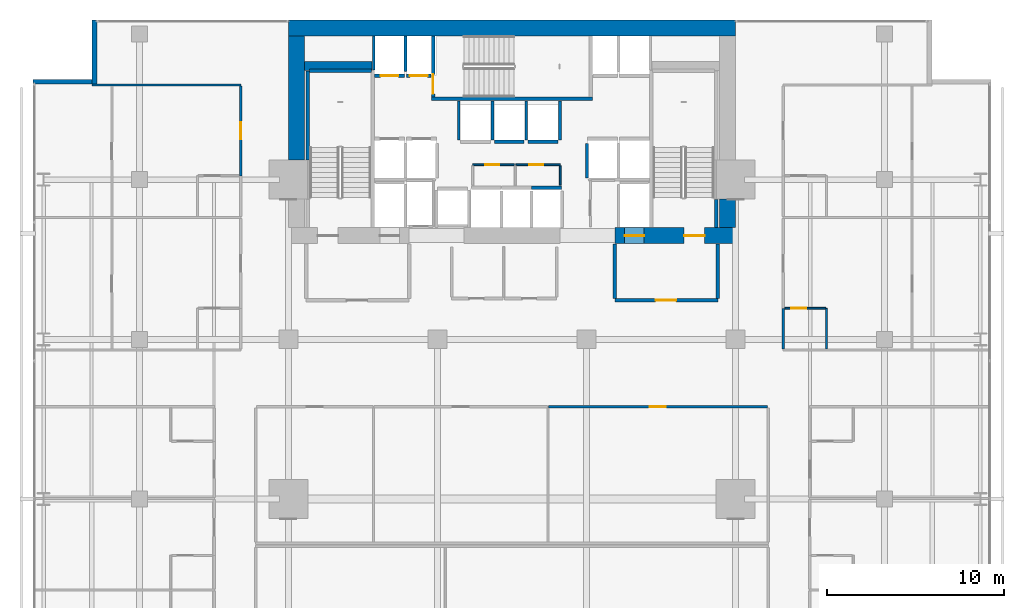
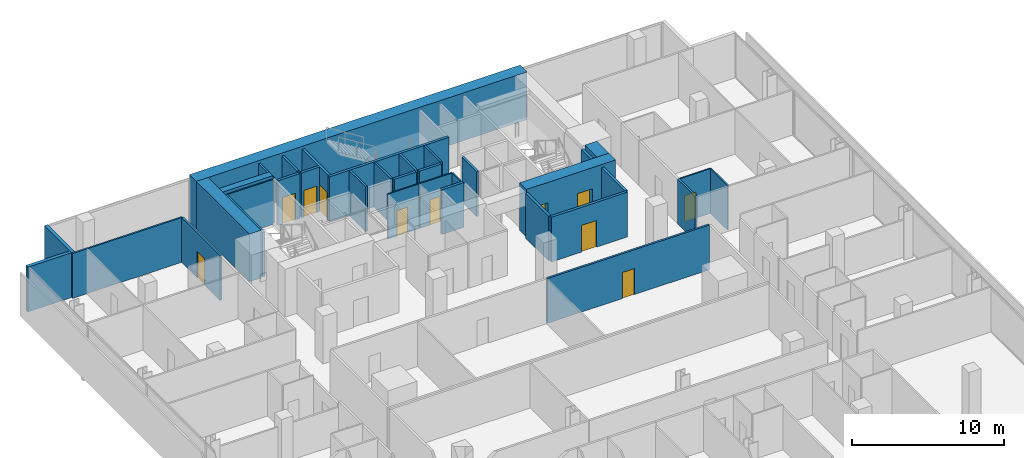
# One storey, part 36 of 40: 36 walls, 11 doors, 11 openings.
"""IFC4 building model written with IfcOpenShell, lengths in metres."""

from ifc_helpers import new_model, si_unit, direction, frame, frame_2d, origin, place, context, subcontext, project, spatial, rectangle, extrude, material, layer, layer_set, type_object, element, fill, save


model = new_model("IFC4")

# Units and contexts
model_context = context("Model", 3, precision=1e-05, world=origin(), true_north=direction((0.0, 1.0)))
body_context = subcontext(model_context, "Body", "Model", "MODEL_VIEW")
ifc_project = project(units=[si_unit("LENGTHUNIT", "METRE"), si_unit("AREAUNIT", "SQUARE_METRE"), si_unit("VOLUMEUNIT", "CUBIC_METRE"), si_unit("PLANEANGLEUNIT", "RADIAN"), si_unit("MASSUNIT", "GRAM", prefix="KILO")], contexts=[model_context])

# Site, building, storey
site_placement = place(None, origin())
site = spatial("IfcSite", under=ifc_project, at=site_placement, CompositionType="ELEMENT")
building_placement = place(site_placement, origin())
building = spatial("IfcBuilding", under=site, at=building_placement, Name="Maruvema Waterfront Hotel and Observation Tower", CompositionType="ELEMENT")
storey_placement = place(building_placement, frame((0.0, 0.0, 50.050048828125)))
storey = spatial("IfcBuildingStorey", under=building, at=storey_placement, Name="L11", CompositionType="ELEMENT", Elevation=50.050048828125)

# Wall, opening, door
ifc_material_1 = material(Name="Twin-stud acoustic gypsum drywall", Category="gypsum")
ifc_layer_1 = layer(ifc_material_1, 0.14990234375, Name="Acoustic Corridor and Suite Demising Wall 150 mm")
ifc_layer_set_1 = layer_set([ifc_layer_1], Name="Twin-stud acoustic gypsum drywall")
wall_type_1 = type_object("IfcWallType", Name="Acoustic Corridor and Suite Demising Wall 150 mm", PredefinedType="PARTITIONING", material=ifc_layer_set_1)
wall_1_placement = place(storey_placement, frame((39.85302734375, 32.199951171875, 0.0), z_axis=(0.0, 0.0, 1.0), x_axis=(1.0, 0.0, 0.0)))
wall_1 = element("IfcWall", 1, at=wall_1_placement, inside=storey, type_object=wall_type_1, Name="L11 L11-INTN Front 3 029", PredefinedType="PARTITIONING", context=body_context, shape_type="SweptSolid", body=[
    extrude(rectangle(XDim=12.3369140625, YDim=0.14990234375, at=frame_2d((6.16845703125, 0.0))), origin(), (0.0, 0.0, 1.0), 3.60986328125),
])
opening_1_placement = place(wall_1_placement, frame((5.718505859375, 0.0, 0.0)))
opening_1 = element("IfcOpeningElement", 2, at=opening_1_placement, cuts=wall_1, Name="Opening DR-090", PredefinedType="OPENING", context=body_context, shape_type="SweptSolid", body=[
    extrude(rectangle(XDim=0.89990234375, YDim=2.10009765625, at=frame_2d((0.449951171875, 1.050048828125))), frame((0.0, 0.0849609375, 0.0), z_axis=(0.0, -1.0, 0.0), x_axis=(1.0, 0.0, 0.0)), (0.0, 0.0, 1.0), 0.169921875),
])
ifc_material_2 = material(Name="Solid-core lacquered timber leaf", Category="wood")
door_type_1 = type_object("IfcDoorType", Name="Accessible Toilet and Room Door 900x2100 mm", OperationType="NOTDEFINED", PredefinedType="DOOR", material=ifc_material_2)
door_1_placement = place(opening_1_placement, origin())
door_1 = element("IfcDoor", 3, at=door_1_placement, inside=storey, type_object=door_type_1, Name="L11 Butler Kitchenette Door", OperationType="SINGLE_SWING_RIGHT", OverallHeight=2.10009765625, OverallWidth=0.89990234375, PredefinedType="DOOR", context=body_context, shape_type="SweptSolid", body=[
    extrude(rectangle(XDim=0.89990234375, YDim=2.10009765625, at=frame_2d((0.449951171875, 1.050048828125))), frame((0.0, 0.02490234375, 0.0), z_axis=(0.0, -1.0, 0.0), x_axis=(1.0, 0.0, 0.0)), (0.0, 0.0, 1.0), 0.050048828125),
])
fill(opening_1, door_1)

# Wall
wall_2_placement = place(storey_placement, frame((53.080078125, 35.4599609375, 0.0), z_axis=(0.0, 0.0, 1.0), x_axis=(0.0, 1.0, 0.0)))
element("IfcWall", 4, at=wall_2_placement, inside=storey, type_object=wall_type_1, Name="L11 Bath L11-NE1 Wall 106", PredefinedType="PARTITIONING", context=body_context, shape_type="SweptSolid", body=[
    extrude(rectangle(XDim=2.2900390625, YDim=0.14990234375, at=frame_2d((1.14501953125, 0.0))), origin(), (0.0, 0.0, 1.0), 3.60986328125),
])

# Wall, opening, door
wall_3_placement = place(storey_placement, frame((22.52001953125, 45.21875, 0.0), z_axis=(0.0, 0.0, 1.0), x_axis=(0.0, 1.0, 0.0)))
wall_3 = element("IfcWall", 5, at=wall_3_placement, inside=storey, type_object=wall_type_1, Name="L11 Room L11-NW2 Corridor Wall 114", PredefinedType="PARTITIONING", context=body_context, shape_type="SweptSolid", body=[
    extrude(rectangle(XDim=5.058837890625, YDim=0.14990234375, at=frame_2d((2.529296875, 0.0))), origin(), (0.0, 0.0, 1.0), 3.60986328125),
])
opening_2_placement = place(wall_3_placement, frame((2.054443359375, 0.0, 0.0)))
opening_2 = element("IfcOpeningElement", 6, at=opening_2_placement, cuts=wall_3, Name="Opening DR-095", PredefinedType="OPENING", context=body_context, shape_type="SweptSolid", body=[
    extrude(rectangle(XDim=0.949951171875, YDim=2.14990234375, at=frame_2d((0.47509765625, 1.074951171875))), frame((0.0, 0.0849609375, 0.0), z_axis=(0.0, -1.0, 0.0), x_axis=(1.0, 0.0, 0.0)), (0.0, 0.0, 1.0), 0.169921875),
])
ifc_material_3 = material(Name="Acoustic solid-core hardwood timber leaf", Category="wood")
door_type_2 = type_object("IfcDoorType", Name="Guestroom Entrance Fire Door 950x2150 mm", OperationType="NOTDEFINED", PredefinedType="DOOR", material=ifc_material_3)
door_2_placement = place(opening_2_placement, origin())
door_2 = element("IfcDoor", 7, at=door_2_placement, inside=storey, type_object=door_type_2, Name="L11 Room L11-NW2 Entrance Door", OperationType="SINGLE_SWING_RIGHT", OverallHeight=2.14990234375, OverallWidth=0.949951171875, PredefinedType="DOOR", context=body_context, shape_type="SweptSolid", body=[
    extrude(rectangle(XDim=0.949951171875, YDim=2.14990234375, at=frame_2d((0.47509765625, 1.074951171875))), frame((0.0, 0.02490234375, 0.0), z_axis=(0.0, -1.0, 0.0), x_axis=(1.0, 0.0, 0.0)), (0.0, 0.0, 1.0), 0.050048828125),
])
fill(opening_2, door_2)

# Walls
ifc_material_4 = material(Name="Precast concrete C45/55", Category="concrete")
ifc_layer_2 = layer(ifc_material_4, 0.199951171875, Name="Core Shaft and Stairwell Enclosure Wall 200 mm")
ifc_layer_set_2 = layer_set([ifc_layer_2], Name="Precast concrete C45/55")
wall_type_2 = type_object("IfcWallType", Name="Core Shaft and Stairwell Enclosure Wall 200 mm", PredefinedType="SOLIDWALL", material=ifc_layer_set_2)
wall_4_placement = place(storey_placement, frame((26.300048828125, 46.1201171875, 0.0), z_axis=(0.0, 0.0, 1.0), x_axis=(0.0, 1.0, 0.0)))
element("IfcWall", 8, at=wall_4_placement, inside=storey, type_object=wall_type_2, Name="L11 Stairwell ST-01 Shaft Lining Wall", PredefinedType="SOLIDWALL", context=body_context, shape_type="SweptSolid", body=[
    extrude(rectangle(XDim=5.0, YDim=0.199951171875, at=frame_2d((2.5, 0.0))), origin(), (0.0, 0.0, 1.0), 3.60986328125),
])
wall_5_placement = place(storey_placement, frame((26.3798828125, 51.14990234375, 0.0), z_axis=(0.0, 0.0, 1.0), x_axis=(1.0, 0.0, 0.0)))
element("IfcWall", 9, at=wall_5_placement, inside=storey, type_object=wall_type_2, Name="L11 Stairwell ST-01 Shaft Lining Wall", PredefinedType="SOLIDWALL", context=body_context, shape_type="SweptSolid", body=[
    extrude(rectangle(XDim=3.5, YDim=0.199951171875, at=frame_2d((1.75, 0.0))), origin(), (0.0, 0.0, 1.0), 3.60986328125),
])
wall_6_placement = place(storey_placement, frame((33.25, 49.550048828125, 0.0), z_axis=(0.0, 0.0, 1.0), x_axis=(1.0, 0.0, 0.0)))
element("IfcWall", 10, at=wall_6_placement, inside=storey, type_object=wall_type_2, Name="L11 Stairwell ST-02 Shaft Wall", PredefinedType="SOLIDWALL", context=body_context, shape_type="SweptSolid", body=[
    extrude(rectangle(XDim=9.10009765625, YDim=0.199951171875, at=frame_2d((4.550048828125, 0.0))), origin(), (0.0, 0.0, 1.0), 3.60986328125),
])

# Wall, opening, door
wall_7_placement = place(storey_placement, frame((33.35009765625, 49.64990234375, 0.0), z_axis=(0.0, 0.0, 1.0), x_axis=(0.0, 1.0, 0.0)))
wall_7 = element("IfcWall", 11, at=wall_7_placement, inside=storey, type_object=wall_type_2, Name="L11 Stairwell ST-02 Shaft Wall", PredefinedType="SOLIDWALL", context=body_context, shape_type="SweptSolid", body=[
    extrude(rectangle(XDim=3.4501953125, YDim=0.199951171875, at=frame_2d((1.72509765625, 0.0))), origin(), (0.0, 0.0, 1.0), 3.60986328125),
])
opening_3_placement = place(wall_7_placement, frame((0.179931640625, 0.0, 0.0)))
opening_3 = element("IfcOpeningElement", 12, at=opening_3_placement, cuts=wall_7, Name="Opening SD-02", PredefinedType="OPENING", context=body_context, shape_type="SweptSolid", body=[
    extrude(rectangle(XDim=1.10009765625, YDim=2.14990234375, at=frame_2d((0.550048828125, 1.074951171875))), frame((0.0, 0.10986328125, 0.0), z_axis=(0.0, -1.0, 0.0), x_axis=(1.0, 0.0, 0.0)), (0.0, 0.0, 1.0), 0.219970703125),
])
ifc_material_5 = material(Name="Fire-rated galvanised steel leaf", Category="steel")
door_type_3 = type_object("IfcDoorType", Name="Central Exit Stair Fire Door 1100x2150 mm", OperationType="NOTDEFINED", PredefinedType="DOOR", material=ifc_material_5)
door_3_placement = place(opening_3_placement, frame((1.10009765625, 0.0, 0.0), z_axis=(0.0, 0.0, 1.0), x_axis=(-1.0, 0.0, 0.0)))
door_3 = element("IfcDoor", 13, at=door_3_placement, inside=storey, type_object=door_type_3, Name="L11 Exit Stair ST-02 Fire Door", OperationType="SINGLE_SWING_LEFT", OverallHeight=2.14990234375, OverallWidth=1.10009765625, PredefinedType="DOOR", context=body_context, shape_type="SweptSolid", body=[
    extrude(rectangle(XDim=1.10009765625, YDim=2.14990234375, at=frame_2d((0.550048828125, 1.074951171875))), frame((0.0, 0.02490234375, 0.0), z_axis=(0.0, -1.0, 0.0), x_axis=(1.0, 0.0, 0.0)), (0.0, 0.0, 1.0), 0.050048828125),
])
fill(opening_3, door_3)

# Wall
wall_8_placement = place(storey_placement, frame((49.300048828125, 42.300048828125, 0.0), z_axis=(0.0, 0.0, 1.0), x_axis=(0.0, 1.0, 0.0)))
element("IfcWall", 14, at=wall_8_placement, inside=storey, type_object=wall_type_2, Name="L11 Stairwell ST-03 Shaft Lining Wall", PredefinedType="SOLIDWALL", context=body_context, shape_type="SweptSolid", body=[
    extrude(rectangle(XDim=1.579833984375, YDim=0.199951171875, at=frame_2d((0.7900390625, 0.0))), origin(), (0.0, 0.0, 1.0), 3.60986328125),
])

# Wall, opening, door
wall_9_placement = place(storey_placement, frame((30.06005859375, 50.85009765625, 0.0), z_axis=(0.0, 0.0, 1.0), x_axis=(1.0, 0.0, 0.0)))
wall_9 = element("IfcWall", 15, at=wall_9_placement, inside=storey, type_object=wall_type_2, Name="L11 Lift LF-03 Hoistway Front Wall", PredefinedType="SOLIDWALL", context=body_context, shape_type="SweptSolid", body=[
    extrude(rectangle(XDim=1.679931640625, YDim=0.199951171875, at=frame_2d((0.83984375, 0.0))), origin(), (0.0, 0.0, 1.0), 3.60986328125),
])
opening_4_placement = place(wall_9_placement, frame((0.340087890625, 0.0, 0.0)))
opening_4 = element("IfcOpeningElement", 16, at=opening_4_placement, cuts=wall_9, Name="Opening LD-01", PredefinedType="OPENING", context=body_context, shape_type="SweptSolid", body=[
    extrude(rectangle(XDim=1.0, YDim=2.14990234375, at=frame_2d((0.5, 1.074951171875))), frame((0.0, 0.10986328125, 0.0), z_axis=(0.0, -1.0, 0.0), x_axis=(1.0, 0.0, 0.0)), (0.0, 0.0, 1.0), 0.219970703125),
])
ifc_material_6 = material(Name="Brushed stainless steel Grade 316", Category="steel")
door_type_4 = type_object("IfcDoorType", Name="Passenger Lift Sliding Landing Door 1000x2150 mm", OperationType="SLIDING_TO_LEFT", PredefinedType="DOOR", material=ifc_material_6)
door_4_placement = place(opening_4_placement, frame((1.0, 0.0, 0.0), z_axis=(0.0, 0.0, 1.0), x_axis=(-1.0, 0.0, 0.0)))
door_4 = element("IfcDoor", 17, at=door_4_placement, inside=storey, type_object=door_type_4, Name="L11 Lift LF-03 Sliding Landing Door", OperationType="SLIDING_TO_LEFT", OverallHeight=2.14990234375, OverallWidth=1.0, PredefinedType="DOOR", context=body_context, shape_type="SweptSolid", body=[
    extrude(rectangle(XDim=1.0, YDim=2.14990234375, at=frame_2d((0.5, 1.074951171875))), frame((0.0, 0.02490234375, 0.0), z_axis=(0.0, -1.0, 0.0), x_axis=(1.0, 0.0, 0.0)), (0.0, 0.0, 1.0), 0.050048828125),
])
fill(opening_4, door_4)

wall_10_placement = place(storey_placement, frame((31.860107421875, 50.85009765625, 0.0), z_axis=(0.0, 0.0, 1.0), x_axis=(1.0, 0.0, 0.0)))
wall_10 = element("IfcWall", 18, at=wall_10_placement, inside=storey, type_object=wall_type_2, Name="L11 Lift LF-04 Hoistway Front Wall", PredefinedType="SOLIDWALL", context=body_context, shape_type="SweptSolid", body=[
    extrude(rectangle(XDim=1.3798828125, YDim=0.199951171875, at=frame_2d((0.68994140625, 0.0))), origin(), (0.0, 0.0, 1.0), 3.60986328125),
])
opening_5_placement = place(wall_10_placement, frame((0.18994140625, 0.0, 0.0)))
opening_5 = element("IfcOpeningElement", 19, at=opening_5_placement, cuts=wall_10, Name="Opening LD-01", PredefinedType="OPENING", context=body_context, shape_type="SweptSolid", body=[
    extrude(rectangle(XDim=1.0, YDim=2.14990234375, at=frame_2d((0.5, 1.074951171875))), frame((0.0, 0.10986328125, 0.0), z_axis=(0.0, -1.0, 0.0), x_axis=(1.0, 0.0, 0.0)), (0.0, 0.0, 1.0), 0.219970703125),
])
door_5_placement = place(opening_5_placement, frame((1.0, 0.0, 0.0), z_axis=(0.0, 0.0, 1.0), x_axis=(-1.0, 0.0, 0.0)))
door_5 = element("IfcDoor", 20, at=door_5_placement, inside=storey, type_object=door_type_4, Name="L11 Lift LF-04 Sliding Landing Door", OperationType="SLIDING_TO_LEFT", OverallHeight=2.14990234375, OverallWidth=1.0, PredefinedType="DOOR", context=body_context, shape_type="SweptSolid", body=[
    extrude(rectangle(XDim=1.0, YDim=2.14990234375, at=frame_2d((0.5, 1.074951171875))), frame((0.0, 0.02490234375, 0.0), z_axis=(0.0, -1.0, 0.0), x_axis=(1.0, 0.0, 0.0)), (0.0, 0.0, 1.0), 0.050048828125),
])
fill(opening_5, door_5)

# Walls
wall_11_placement = place(storey_placement, frame((38.909912109375, 44.550048828125, 0.0), z_axis=(0.0, 0.0, 1.0), x_axis=(1.0, 0.0, 0.0)))
element("IfcWall", 21, at=wall_11_placement, inside=storey, type_object=wall_type_2, Name="L11 Lift LF-11 Hoistway Front Wall", PredefinedType="SOLIDWALL", context=body_context, shape_type="SweptSolid", body=[
    extrude(rectangle(XDim=1.68017578125, YDim=0.199951171875, at=frame_2d((0.840087890625, 0.0))), origin(), (0.0, 0.0, 1.0), 3.60986328125),
])
for number, where, z_axis, x_axis, name in (
    (22, (36.81005859375, 47.14990234375, 0.0), (0.0, 0.0, 1.0), (1.0, 0.0, 0.0), "L11 Lift LF-13 Hoistway Front Wall"),
    (23, (38.7099609375, 47.14990234375, 0.0), (0.0, 0.0, 1.0), (1.0, 0.0, 0.0), "L11 Lift LF-14 Hoistway Front Wall"),
):
    element("IfcWall", number, at=place(storey_placement, frame(where, z_axis=z_axis, x_axis=x_axis)), inside=storey, type_object=wall_type_2, Name=name, PredefinedType="SOLIDWALL", context=body_context, shape_type="SweptSolid", body=[
        extrude(rectangle(XDim=1.679931640625, YDim=0.199951171875, at=frame_2d((0.83984375, 0.0))), origin(), (0.0, 0.0, 1.0), 3.60986328125),
    ])
ifc_material_7 = material(Name="Concrete C70/85", Category="concrete")
ifc_layer_3 = layer(ifc_material_7, 0.5, Name="Core Shear Wall 500 mm")
ifc_layer_set_3 = layer_set([ifc_layer_3], Name="Concrete C70/85")
wall_type_3 = type_object("IfcWallType", Name="Core Shear Wall 500 mm", PredefinedType="SHEAR", material=ifc_layer_set_3)
wall_12_placement = place(storey_placement, frame((26.10009765625, 51.39990234375, 0.0), z_axis=(0.0, 0.0, 1.0), x_axis=(1.0, 0.0, 0.0)))
element("IfcWall", 24, at=wall_12_placement, inside=storey, type_object=wall_type_3, Name="L11 Internal Core Shear Wall NW 500 mm", PredefinedType="SHEAR", context=body_context, shape_type="SweptSolid", body=[
    extrude(rectangle(XDim=3.7998046875, YDim=0.5, at=frame_2d((1.89990234375, 0.0))), origin(), (0.0, 0.0, 1.0), 3.849853515625),
])
ifc_material_8 = material(Name="Concrete C80/95", Category="concrete")
ifc_layer_4 = layer(ifc_material_8, 0.89990234375, Name="Core Shear Wall 900 mm")
ifc_layer_set_4 = layer_set([ifc_layer_4], Name="Concrete C80/95")
wall_type_4 = type_object("IfcWallType", Name="Core Shear Wall 900 mm", PredefinedType="SHEAR", material=ifc_layer_set_4)
wall_13_placement = place(storey_placement, frame((25.199951171875, 53.550048828125, 0.0), z_axis=(0.0, 0.0, 1.0), x_axis=(1.0, 0.0, 0.0)))
element("IfcWall", 25, at=wall_13_placement, inside=storey, type_object=wall_type_4, Name="L11 North Core Shear Wall", PredefinedType="SHEAR", context=body_context, shape_type="SweptSolid", body=[
    extrude(rectangle(XDim=25.199951171875, YDim=0.89990234375, at=frame_2d((12.60009765625, 0.0))), origin(), (0.0, 0.0, 1.0), 3.849853515625),
])

# Wall, openings, doors
wall_14_placement = place(storey_placement, frame((43.60009765625, 41.85009765625, 0.0), z_axis=(0.0, 0.0, 1.0), x_axis=(1.0, 0.0, 0.0)))
wall_14 = element("IfcWall", 26, at=wall_14_placement, inside=storey, type_object=wall_type_4, Name="L11 South-East Core Shear Wall", PredefinedType="SHEAR", context=body_context, shape_type="SweptSolid", body=[
    extrude(rectangle(XDim=6.7998046875, YDim=0.89990234375, at=frame_2d((3.39990234375, 0.0))), origin(), (0.0, 0.0, 1.0), 3.849853515625),
])
opening_6_placement = place(wall_14_placement, frame((3.89990234375, 0.0, 0.0)))
opening_6 = element("IfcOpeningElement", 27, at=opening_6_placement, cuts=wall_14, Name="Opening SD-01", PredefinedType="OPENING", context=body_context, shape_type="SweptSolid", body=[
    extrude(rectangle(XDim=1.14990234375, YDim=2.14990234375, at=frame_2d((0.574951171875, 1.074951171875))), frame((0.0, 0.4599609375, 0.0), z_axis=(0.0, -1.0, 0.0), x_axis=(1.0, 0.0, 0.0)), (0.0, 0.0, 1.0), 0.919921875),
])
opening_7_placement = place(wall_14_placement, frame((0.550048828125, 0.0, 0.0)))
opening_7 = element("IfcOpeningElement", 28, at=opening_7_placement, cuts=wall_14, Name="Opening LD-03", PredefinedType="OPENING", context=body_context, shape_type="SweptSolid", body=[
    extrude(rectangle(XDim=1.10009765625, YDim=2.199951171875, at=frame_2d((0.550048828125, 1.10009765625))), frame((0.0, 0.4599609375, 0.0), z_axis=(0.0, -1.0, 0.0), x_axis=(1.0, 0.0, 0.0)), (0.0, 0.0, 1.0), 0.919921875),
])
ifc_material_9 = material(Name="Fire-rated galvanised steel leaf", Category="steel")
door_type_5 = type_object("IfcDoorType", Name="Exit Stair Fire Door 1150x2150 mm", OperationType="NOTDEFINED", PredefinedType="DOOR", material=ifc_material_9)
door_6_placement = place(opening_6_placement, origin())
door_6 = element("IfcDoor", 29, at=door_6_placement, inside=storey, type_object=door_type_5, Name="L11 Exit Stair ST-03 Fire Door", OperationType="SINGLE_SWING_RIGHT", OverallHeight=2.14990234375, OverallWidth=1.14990234375, PredefinedType="DOOR", context=body_context, shape_type="SweptSolid", body=[
    extrude(rectangle(XDim=1.14990234375, YDim=2.14990234375, at=frame_2d((0.574951171875, 1.074951171875))), frame((0.0, 0.02490234375, 0.0), z_axis=(0.0, -1.0, 0.0), x_axis=(1.0, 0.0, 0.0)), (0.0, 0.0, 1.0), 0.050048828125),
])
fill(opening_6, door_6)
ifc_material_10 = material(Name="Brushed stainless steel Grade 316", Category="steel")
door_type_6 = type_object("IfcDoorType", Name="Firefighting Lift Sliding Landing Door 1100x2200 mm", OperationType="SLIDING_TO_LEFT", PredefinedType="DOOR", material=ifc_material_10)
door_7_placement = place(opening_7_placement, frame((1.10009765625, 0.0, 0.0), z_axis=(0.0, 0.0, 1.0), x_axis=(-1.0, 0.0, 0.0)))
door_7 = element("IfcDoor", 30, at=door_7_placement, inside=storey, type_object=door_type_6, Name="L11 Firefighting Lift FL-02 Landing Door", OperationType="SLIDING_TO_LEFT", OverallHeight=2.199951171875, OverallWidth=1.10009765625, PredefinedType="DOOR", context=body_context, shape_type="SweptSolid", body=[
    extrude(rectangle(XDim=1.10009765625, YDim=2.199951171875, at=frame_2d((0.550048828125, 1.10009765625))), frame((0.0, 0.02490234375, 0.0), z_axis=(0.0, -1.0, 0.0), x_axis=(1.0, 0.0, 0.0)), (0.0, 0.0, 1.0), 0.050048828125),
])
fill(opening_7, door_7)

# Walls
wall_15_placement = place(storey_placement, frame((25.64990234375, 46.10009765625, 0.0), z_axis=(0.0, 0.0, 1.0), x_axis=(0.0, 1.0, 0.0)))
element("IfcWall", 31, at=wall_15_placement, inside=storey, type_object=wall_type_4, Name="L11 West-North Core Shear Wall", PredefinedType="SHEAR", context=body_context, shape_type="SweptSolid", body=[
    extrude(rectangle(XDim=7.0, YDim=0.89990234375, at=frame_2d((3.5, 0.0))), origin(), (0.0, 0.0, 1.0), 3.849853515625),
])
wall_16_placement = place(storey_placement, frame((49.949951171875, 42.300048828125, 0.0), z_axis=(0.0, 0.0, 1.0), x_axis=(0.0, 1.0, 0.0)))
element("IfcWall", 32, at=wall_16_placement, inside=storey, type_object=wall_type_4, Name="L11 East-South Core Shear Wall", PredefinedType="SHEAR", context=body_context, shape_type="SweptSolid", body=[
    extrude(rectangle(XDim=1.599853515625, YDim=0.89990234375, at=frame_2d((0.7998046875, 0.0))), origin(), (0.0, 0.0, 1.0), 3.849853515625),
])

# Wall, opening, door
ifc_material_11 = material(Name="Moisture-resistant cement-board drywall", Category="gypsum")
ifc_layer_5 = layer(ifc_material_11, 0.10009765625, Name="En-Suite Moisture-Resistant Partition 100 mm")
ifc_layer_set_5 = layer_set([ifc_layer_5], Name="Moisture-resistant cement-board drywall")
wall_type_5 = type_object("IfcWallType", Name="En-Suite Moisture-Resistant Partition 100 mm", PredefinedType="PARTITIONING", material=ifc_layer_set_5)
wall_17_placement = place(storey_placement, frame((35.580078125, 45.840087890625, 0.0), z_axis=(0.0, 0.0, 1.0), x_axis=(1.0, 0.0, 0.0)))
wall_17 = element("IfcWall", 33, at=wall_17_placement, inside=storey, type_object=wall_type_5, Name="L11 Core Closet K2A North 010", PredefinedType="PARTITIONING", context=body_context, shape_type="SweptSolid", body=[
    extrude(rectangle(XDim=2.35986328125, YDim=0.10009765625, at=frame_2d((1.179931640625, 0.0))), origin(), (0.0, 0.0, 1.0), 3.60986328125),
])
opening_8_placement = place(wall_17_placement, frame((0.699951171875, 0.0, 0.0)))
opening_8 = element("IfcOpeningElement", 34, at=opening_8_placement, cuts=wall_17, Name="Opening DR-080", PredefinedType="OPENING", context=body_context, shape_type="SweptSolid", body=[
    extrude(rectangle(XDim=0.800048828125, YDim=2.050048828125, at=frame_2d((0.39990234375, 1.02490234375))), frame((0.0, 0.06005859375, 0.0), z_axis=(0.0, -1.0, 0.0), x_axis=(1.0, 0.0, 0.0)), (0.0, 0.0, 1.0), 0.1201171875),
])
ifc_material_12 = material(Name="Powder-coated steel access leaf", Category="steel")
door_type_7 = type_object("IfcDoorType", Name="Riser and Service Cupboard Door 800x2050 mm", OperationType="NOTDEFINED", PredefinedType="DOOR", material=ifc_material_12)
door_8_placement = place(opening_8_placement, origin())
door_8 = element("IfcDoor", 35, at=door_8_placement, inside=storey, type_object=door_type_7, Name="L11 Core IT Closet Door", OperationType="SINGLE_SWING_LEFT", OverallHeight=2.050048828125, OverallWidth=0.800048828125, PredefinedType="DOOR", context=body_context, shape_type="SweptSolid", body=[
    extrude(rectangle(XDim=0.800048828125, YDim=2.050048828125, at=frame_2d((0.39990234375, 1.02490234375))), frame((0.0, 0.02490234375, 0.0), z_axis=(0.0, -1.0, 0.0), x_axis=(1.0, 0.0, 0.0)), (0.0, 0.0, 1.0), 0.050048828125),
])
fill(opening_8, door_8)

wall_18_placement = place(storey_placement, frame((38.02001953125, 45.840087890625, 0.0), z_axis=(0.0, 0.0, 1.0), x_axis=(1.0, 0.0, 0.0)))
wall_18 = element("IfcWall", 36, at=wall_18_placement, inside=storey, type_object=wall_type_5, Name="L11 Core Closet K2B North 011", PredefinedType="PARTITIONING", context=body_context, shape_type="SweptSolid", body=[
    extrude(rectangle(XDim=2.5, YDim=0.10009765625, at=frame_2d((1.25, 0.0))), origin(), (0.0, 0.0, 1.0), 3.60986328125),
])
opening_9_placement = place(wall_18_placement, frame((0.75, 0.0, 0.0)))
opening_9 = element("IfcOpeningElement", 37, at=opening_9_placement, cuts=wall_18, Name="Opening DR-080", PredefinedType="OPENING", context=body_context, shape_type="SweptSolid", body=[
    extrude(rectangle(XDim=0.800048828125, YDim=2.050048828125, at=frame_2d((0.39990234375, 1.02490234375))), frame((0.0, 0.06005859375, 0.0), z_axis=(0.0, -1.0, 0.0), x_axis=(1.0, 0.0, 0.0)), (0.0, 0.0, 1.0), 0.1201171875),
])
door_9_placement = place(opening_9_placement, origin())
door_9 = element("IfcDoor", 38, at=door_9_placement, inside=storey, type_object=door_type_7, Name="L11 Core Linen Cupboard Door", OperationType="SINGLE_SWING_RIGHT", OverallHeight=2.050048828125, OverallWidth=0.800048828125, PredefinedType="DOOR", context=body_context, shape_type="SweptSolid", body=[
    extrude(rectangle(XDim=0.800048828125, YDim=2.050048828125, at=frame_2d((0.39990234375, 1.02490234375))), frame((0.0, 0.02490234375, 0.0), z_axis=(0.0, -1.0, 0.0), x_axis=(1.0, 0.0, 0.0)), (0.0, 0.0, 1.0), 0.050048828125),
])
fill(opening_9, door_9)

# Walls
wall_19_placement = place(storey_placement, frame((40.52001953125, 44.699951171875, 0.0), z_axis=(0.0, 0.0, 1.0), x_axis=(0.0, 1.0, 0.0)))
element("IfcWall", 39, at=wall_19_placement, inside=storey, type_object=wall_type_5, Name="L11 Core Closet K2 East 014", PredefinedType="PARTITIONING", context=body_context, shape_type="SweptSolid", body=[
    extrude(rectangle(XDim=1.080078125, YDim=0.10009765625, at=frame_2d((0.5400390625, 0.0))), origin(), (0.0, 0.0, 1.0), 3.60986328125),
])
wall_20_placement = place(storey_placement, frame((55.530029296875, 35.4599609375, 0.0), z_axis=(0.0, 0.0, 1.0), x_axis=(0.0, 1.0, 0.0)))
element("IfcWall", 40, at=wall_20_placement, inside=storey, type_object=wall_type_5, Name="L11 En-Suite L11-NE1 E 108", PredefinedType="PARTITIONING", context=body_context, shape_type="SweptSolid", body=[
    extrude(rectangle(XDim=2.2900390625, YDim=0.10009765625, at=frame_2d((1.14501953125, 0.0))), origin(), (0.0, 0.0, 1.0), 3.60986328125),
])

# Wall, opening, door
wall_21_placement = place(storey_placement, frame((53.179931640625, 37.75, 0.0), z_axis=(0.0, 0.0, 1.0), x_axis=(1.0, 0.0, 0.0)))
wall_21 = element("IfcWall", 41, at=wall_21_placement, inside=storey, type_object=wall_type_5, Name="L11 En-Suite L11-NE1 N 109", PredefinedType="PARTITIONING", context=body_context, shape_type="SweptSolid", body=[
    extrude(rectangle(XDim=2.300048828125, YDim=0.10009765625, at=frame_2d((1.14990234375, 0.0))), origin(), (0.0, 0.0, 1.0), 3.60986328125),
])
opening_10_placement = place(wall_21_placement, frame((0.35009765625, 0.0, 0.0)))
opening_10 = element("IfcOpeningElement", 42, at=opening_10_placement, cuts=wall_21, Name="Opening DR-085", PredefinedType="OPENING", context=body_context, shape_type="SweptSolid", body=[
    extrude(rectangle(XDim=0.85009765625, YDim=2.10009765625, at=frame_2d((0.425048828125, 1.050048828125))), frame((0.0, 0.06005859375, 0.0), z_axis=(0.0, -1.0, 0.0), x_axis=(1.0, 0.0, 0.0)), (0.0, 0.0, 1.0), 0.1201171875),
])
ifc_material_13 = material(Name="Moisture-resistant solid timber leaf", Category="wood")
door_type_8 = type_object("IfcDoorType", Name="En-Suite Bathroom Door 850x2100 mm", OperationType="NOTDEFINED", PredefinedType="DOOR", material=ifc_material_13)
door_10_placement = place(opening_10_placement, origin())
door_10 = element("IfcDoor", 43, at=door_10_placement, inside=storey, type_object=door_type_8, Name="L11 En-Suite L11-NE1 Door", OperationType="SINGLE_SWING_RIGHT", OverallHeight=2.10009765625, OverallWidth=0.85009765625, PredefinedType="DOOR", context=body_context, shape_type="SweptSolid", body=[
    extrude(rectangle(XDim=0.85009765625, YDim=2.10009765625, at=frame_2d((0.425048828125, 1.050048828125))), frame((0.0, 0.02490234375, 0.0), z_axis=(0.0, -1.0, 0.0), x_axis=(1.0, 0.0, 0.0)), (0.0, 0.0, 1.0), 0.050048828125),
])
fill(opening_10, door_10)

# Walls
ifc_material_14 = material(Name="Precast concrete C45/55 with honed Pernambuco granite facing", Category="masonry")
ifc_layer_6 = layer(ifc_material_14, 0.260009765625, Name="Exterior Granite Clad Spandrel and Pier Wall 260 mm")
ifc_layer_set_6 = layer_set([ifc_layer_6], Name="Precast concrete C45/55 with honed Pernambuco granite facing")
wall_type_6 = type_object("IfcWallType", Name="Exterior Granite Clad Spandrel and Pier Wall 260 mm", PredefinedType="SOLIDWALL", material=ifc_layer_set_6)
wall_22_placement = place(storey_placement, frame((14.27001953125, 50.39990234375, 0.0), z_axis=(0.0, 0.0, 1.0), x_axis=(0.0, 1.0, 0.0)))
element("IfcWall", 44, at=wall_22_placement, inside=storey, type_object=wall_type_6, Name="L11 Corner Notch Granite Pier Wall NW1", PredefinedType="SOLIDWALL", context=body_context, shape_type="SweptSolid", body=[
    extrude(rectangle(XDim=3.60009765625, YDim=0.260009765625, at=frame_2d((1.800048828125, 0.0))), origin(), (0.0, 0.0, 1.0), 3.60986328125),
])
wall_23_placement = place(storey_placement, frame((10.800048828125, 50.530029296875, 0.0), z_axis=(0.0, 0.0, 1.0), x_axis=(1.0, 0.0, 0.0)))
element("IfcWall", 45, at=wall_23_placement, inside=storey, type_object=wall_type_6, Name="L11 Corner Notch Granite Pier Wall NW2", PredefinedType="SOLIDWALL", context=body_context, shape_type="SweptSolid", body=[
    extrude(rectangle(XDim=3.599853515625, YDim=0.260009765625, at=frame_2d((1.7998046875, 0.0))), origin(), (0.0, 0.0, 1.0), 3.60986328125),
])

# Wall, opening, door
ifc_material_15 = material(Name="Autoclaved cellular concrete blockwork", Category="masonry")
ifc_layer_7 = layer(ifc_material_15, 0.199951171875, Name="Fire Compartment Masonry Wall 200 mm")
ifc_layer_set_7 = layer_set([ifc_layer_7], Name="Autoclaved cellular concrete blockwork")
wall_type_7 = type_object("IfcWallType", Name="Fire Compartment Masonry Wall 200 mm", PredefinedType="PARTITIONING", material=ifc_layer_set_7)
wall_24_placement = place(storey_placement, frame((43.60009765625, 38.199951171875, 0.0), z_axis=(0.0, 0.0, 1.0), x_axis=(1.0, 0.0, 0.0)))
wall_24 = element("IfcWall", 46, at=wall_24_placement, inside=storey, type_object=wall_type_7, Name="L11 FFL East South Wall 004", PredefinedType="PARTITIONING", context=body_context, shape_type="SweptSolid", body=[
    extrude(rectangle(XDim=5.7998046875, YDim=0.199951171875, at=frame_2d((2.89990234375, 0.0))), origin(), (0.0, 0.0, 1.0), 3.60986328125),
])
opening_11_placement = place(wall_24_placement, frame((2.300048828125, 0.0, 0.0)))
opening_11 = element("IfcOpeningElement", 47, at=opening_11_placement, cuts=wall_24, Name="Opening FD-115", PredefinedType="OPENING", context=body_context, shape_type="SweptSolid", body=[
    extrude(rectangle(XDim=1.14990234375, YDim=2.14990234375, at=frame_2d((0.574951171875, 1.074951171875))), frame((0.0, 0.10986328125, 0.0), z_axis=(0.0, -1.0, 0.0), x_axis=(1.0, 0.0, 0.0)), (0.0, 0.0, 1.0), 0.219970703125),
])
ifc_material_16 = material(Name="Fire-rated galvanised steel and vision glass", Category="steel")
door_type_9 = type_object("IfcDoorType", Name="Firefighting Lobby Fire Door 1150x2150 mm", OperationType="NOTDEFINED", PredefinedType="DOOR", material=ifc_material_16)
door_11_placement = place(opening_11_placement, frame((1.14990234375, 0.0, 0.0), z_axis=(0.0, 0.0, 1.0), x_axis=(-1.0, 0.0, 0.0)))
door_11 = element("IfcDoor", 48, at=door_11_placement, inside=storey, type_object=door_type_9, Name="L11 Firefighting Lobby East Door", OperationType="SINGLE_SWING_LEFT", OverallHeight=2.14990234375, OverallWidth=1.14990234375, PredefinedType="DOOR", context=body_context, shape_type="SweptSolid", body=[
    extrude(rectangle(XDim=1.14990234375, YDim=2.14990234375, at=frame_2d((0.574951171875, 1.074951171875))), frame((0.0, 0.02490234375, 0.0), z_axis=(0.0, -1.0, 0.0), x_axis=(1.0, 0.0, 0.0)), (0.0, 0.0, 1.0), 0.050048828125),
])
fill(opening_11, door_11)

# Walls
for number, where, z_axis, x_axis, name in (
    (49, (43.60009765625, 38.31005859375, 0.0), (0.0, 0.0, 1.0), (0.0, 1.0, 0.0), "L11 FFL East West Wall 005"),
    (50, (49.39990234375, 38.31005859375, 0.0), (0.0, 0.0, 1.0), (0.0, 1.0, 0.0), "L11 FFL East East Wall 006"),
):
    element("IfcWall", number, at=place(storey_placement, frame(where, z_axis=z_axis, x_axis=x_axis)), inside=storey, type_object=wall_type_7, Name=name, PredefinedType="PARTITIONING", context=body_context, shape_type="SweptSolid", body=[
        extrude(rectangle(XDim=3.06982421875, YDim=0.199951171875, at=frame_2d((1.534912109375, 0.0))), origin(), (0.0, 0.0, 1.0), 3.60986328125),
    ])
ifc_material_17 = material(Name="Acoustic gypsum plasterboard drywall", Category="gypsum")
ifc_layer_8 = layer(ifc_material_17, 0.125, Name="Guestroom Acoustic Demising Wall 125 mm")
ifc_layer_set_8 = layer_set([ifc_layer_8], Name="Acoustic gypsum plasterboard drywall")
wall_type_8 = type_object("IfcWallType", Name="Guestroom Acoustic Demising Wall 125 mm", PredefinedType="PARTITIONING", material=ifc_layer_set_8)
wall_25_placement = place(storey_placement, frame((14.139892578125, 50.33740234375, 0.0), z_axis=(0.0, 0.0, 1.0), x_axis=(1.0, 0.0, 0.0)))
element("IfcWall", 51, at=wall_25_placement, inside=storey, type_object=wall_type_8, Name="L11 NW Top End 099", PredefinedType="PARTITIONING", context=body_context, shape_type="SweptSolid", body=[
    extrude(rectangle(XDim=8.380126953125, YDim=0.125, at=frame_2d((4.18994140625, 0.0))), origin(), (0.0, 0.0, 1.0), 3.60986328125),
])
ifc_material_18 = material(Name="Precast concrete C45/55", Category="concrete")
ifc_layer_9 = layer(ifc_material_18, 0.159912109375, Name="Lift Hoistway Divider Wall 160 mm")
ifc_layer_set_9 = layer_set([ifc_layer_9], Name="Precast concrete C45/55")
wall_type_9 = type_object("IfcWallType", Name="Lift Hoistway Divider Wall 160 mm", PredefinedType="SOLIDWALL", material=ifc_layer_set_9)
wall_26_placement = place(storey_placement, frame((30.010009765625, 51.179931640625, 0.0), z_axis=(0.0, 0.0, 1.0), x_axis=(0.0, 1.0, 0.0)))
element("IfcWall", 52, at=wall_26_placement, inside=storey, type_object=wall_type_9, Name="L11 Hoistway Divider Wall", PredefinedType="SOLIDWALL", context=body_context, shape_type="SweptSolid", body=[
    extrude(rectangle(XDim=1.920166015625, YDim=0.159912109375, at=frame_2d((0.9599609375, 0.0))), origin(), (0.0, 0.0, 1.0), 3.60986328125),
])
wall_27_placement = place(storey_placement, frame((31.800048828125, 51.10009765625, 0.0), z_axis=(0.0, 0.0, 1.0), x_axis=(0.0, 1.0, 0.0)))
element("IfcWall", 53, at=wall_27_placement, inside=storey, type_object=wall_type_9, Name="L11 Hoistway Divider Wall", PredefinedType="SOLIDWALL", context=body_context, shape_type="SweptSolid", body=[
    extrude(rectangle(XDim=2.0, YDim=0.159912109375, at=frame_2d((1.0, 0.0))), origin(), (0.0, 0.0, 1.0), 3.60986328125),
])
wall_28_placement = place(storey_placement, frame((42.02001953125, 45.10009765625, 0.0), z_axis=(0.0, 0.0, 1.0), x_axis=(0.0, 1.0, 0.0)))
element("IfcWall", 54, at=wall_28_placement, inside=storey, type_object=wall_type_9, Name="L11 Hoistway Divider Wall", PredefinedType="SOLIDWALL", context=body_context, shape_type="SweptSolid", body=[
    extrude(rectangle(XDim=1.949951171875, YDim=0.159912109375, at=frame_2d((0.97509765625, 0.0))), origin(), (0.0, 0.0, 1.0), 3.60986328125),
])
for number, where, z_axis, x_axis, name in (
    (55, (34.800048828125, 47.25, 0.0), (0.0, 0.0, 1.0), (0.0, 1.0, 0.0), "L11 Hoistway Divider Wall"),
    (56, (36.699951171875, 47.25, 0.0), (0.0, 0.0, 1.0), (0.0, 1.0, 0.0), "L11 Hoistway Divider Wall"),
    (57, (38.60009765625, 47.25, 0.0), (0.0, 0.0, 1.0), (0.0, 1.0, 0.0), "L11 Hoistway Divider Wall"),
    (58, (40.5, 47.25, 0.0), (0.0, 0.0, 1.0), (0.0, 1.0, 0.0), "L11 Hoistway Divider Wall"),
):
    element("IfcWall", number, at=place(storey_placement, frame(where, z_axis=z_axis, x_axis=x_axis)), inside=storey, type_object=wall_type_9, Name=name, PredefinedType="SOLIDWALL", context=body_context, shape_type="SweptSolid", body=[
        extrude(rectangle(XDim=2.18994140625, YDim=0.159912109375, at=frame_2d((1.094970703125, 0.0))), origin(), (0.0, 0.0, 1.0), 3.60986328125),
    ])

save(model, "model.ifc")
